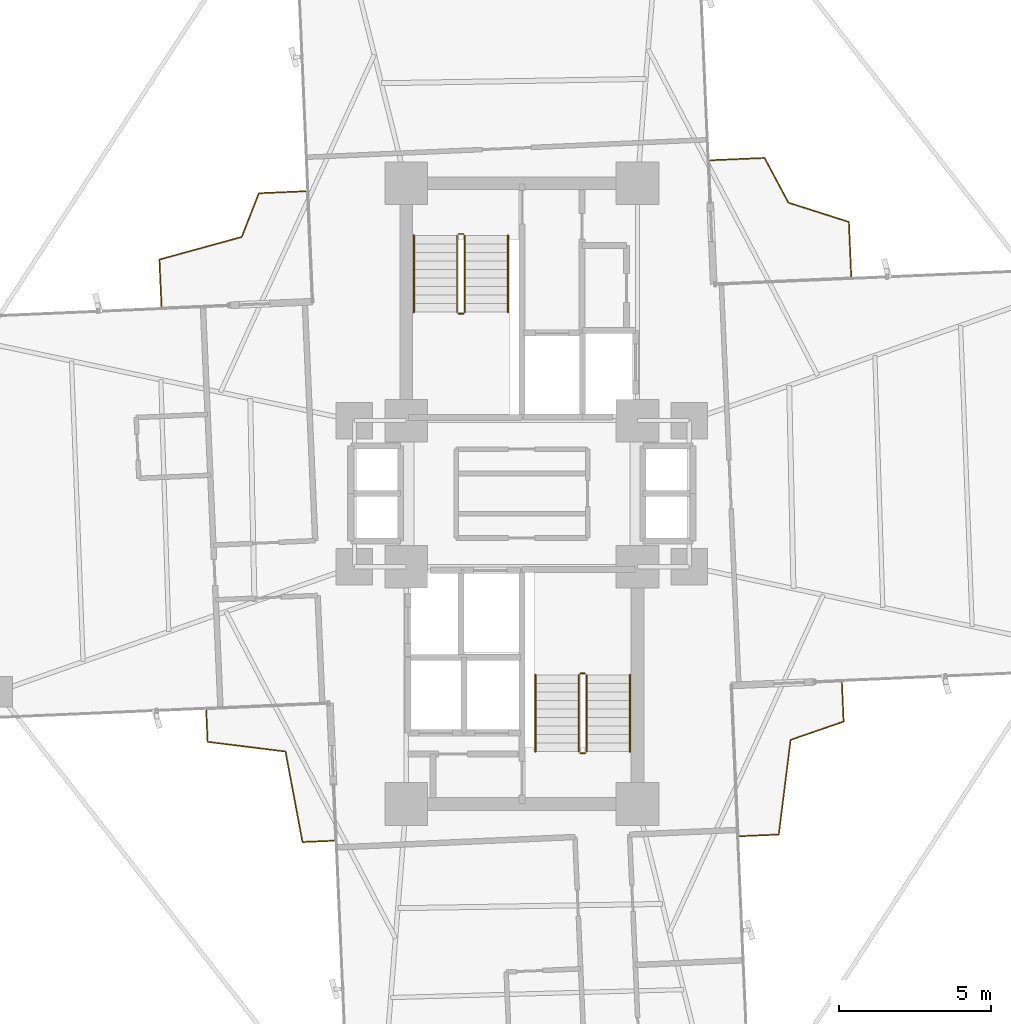
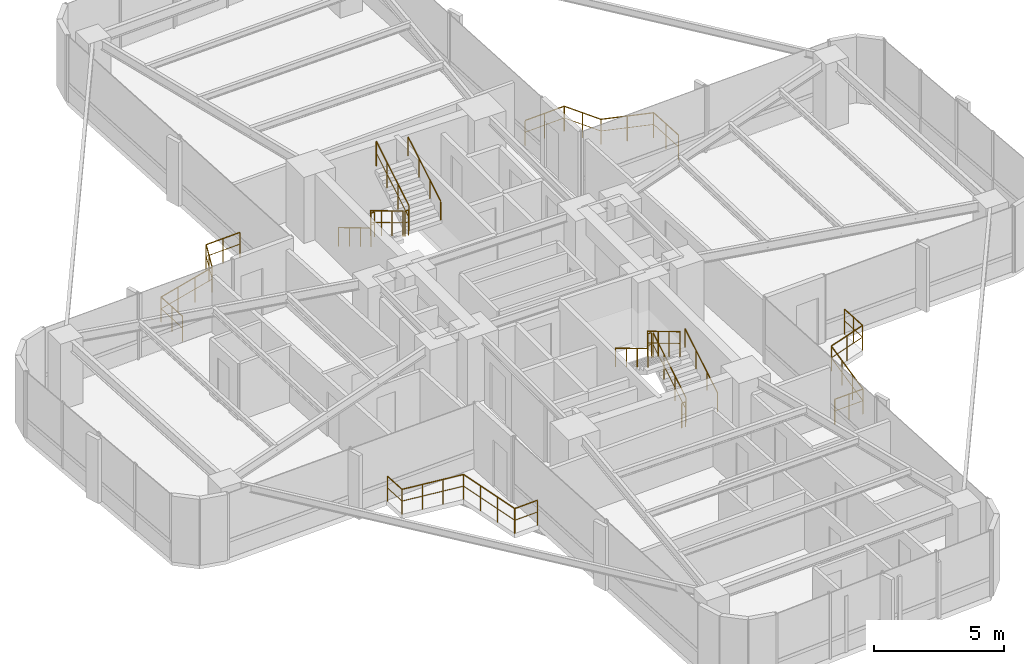
# One storey, part 26 of 26: 16 railings.
"""IFC4 building model written with IfcOpenShell, lengths in metres."""

import ifcopenshell
import ifcopenshell.guid

model = None  # the IFC model being written
_history = None  # IfcOwnerHistory: only IFC2X3 demands one
_inside = {}  # id of a spatial element -> (the spatial element, [elements in it])
_under = {}  # id of a project, library or spatial element -> (it, [spatial elements below it])
_declared = {}  # id of a project -> (the project, [libraries it declares])
_typed = {}  # id of a type object -> (the type object, [elements of that type])
_made_of = {}  # id of a material, layer set ... -> (it, [elements and type objects made of it])


def new_model(schema):
    """Start an empty IFC model of exactly this schema.

    Asked for "IFC4X3", IfcOpenShell would pick the latest addendum, in which some entities
    have other attributes; the version numbers below select the first issue.
    IFC2X3 requires an IfcOwnerHistory on every rooted entity: one is made here for all.
    """
    global model, _history
    if schema == "IFC4X3":
        model = ifcopenshell.file(schema_version=(4, 3, 0, 0))
    else:
        model = ifcopenshell.file(schema=schema)
    _inside.clear()
    _under.clear()
    _declared.clear()
    _typed.clear()
    _made_of.clear()
    _history = None
    if model.schema == "IFC2X3":
        org = make("IfcOrganization", Name="unknown")
        user = make(
            "IfcPersonAndOrganization",
            ThePerson=make("IfcPerson", FamilyName="unknown"),
            TheOrganization=org,
        )
        app = make(
            "IfcApplication",
            ApplicationDeveloper=org,
            Version="unknown",
            ApplicationFullName="unknown",
            ApplicationIdentifier="unknown",
        )
        _history = make(
            "IfcOwnerHistory",
            OwningUser=user,
            OwningApplication=app,
            ChangeAction="ADDED",
            CreationDate=0,
        )
    return model


def make(cls, **values):
    """One entity of the class cls with the attributes given. An attribute that is None is left unset."""
    return model.create_entity(
        cls, **{name: value for name, value in values.items() if value is not None}
    )


def rooted(cls, **values):
    """An entity with a GlobalId (a new one), such as an element, a storey or a relation."""
    return make(cls, GlobalId=ifcopenshell.guid.new(), OwnerHistory=_history, **values)


def si_unit(unit_type, name, prefix=None):
    """IfcSIUnit, for example si_unit("LENGTHUNIT", "METRE", prefix="MILLI")."""
    return make("IfcSIUnit", UnitType=unit_type, Prefix=prefix, Name=name)


def assignment(units):
    """IfcUnitAssignment: the units of a project."""
    return None if units is None else make("IfcUnitAssignment", Units=units)


def point(xyz):
    """IfcCartesianPoint."""
    return None if xyz is None else make("IfcCartesianPoint", Coordinates=xyz)


def direction(xyz):
    """IfcDirection."""
    return None if xyz is None else make("IfcDirection", DirectionRatios=xyz)


def frame(location, z_axis=None, x_axis=None):
    """IfcAxis2Placement3D, a coordinate frame: its origin and axes. An axis left out is left unset."""
    return make(
        "IfcAxis2Placement3D",
        Location=point(location),
        Axis=direction(z_axis),
        RefDirection=direction(x_axis),
    )


def frame_2d(location, x_axis=None):
    """IfcAxis2Placement2D, a coordinate frame in the plane: its origin and x axis."""
    return make(
        "IfcAxis2Placement2D", Location=point(location), RefDirection=direction(x_axis)
    )


def origin():
    """The frame at (0, 0, 0) with its axes left unset."""
    return frame((0.0, 0.0, 0.0))


def origin_2d():
    """The frame at (0, 0) in the plane with its x axis left unset."""
    return frame_2d((0.0, 0.0))


def place(relative_to, where):
    """IfcLocalPlacement: puts the frame where relative to a parent placement (None: the world)."""
    return make(
        "IfcLocalPlacement", PlacementRelTo=relative_to, RelativePlacement=where
    )


def context(
    kind, dimensions, precision=None, world=None, true_north=None, identifier=None
):
    """IfcGeometricRepresentationContext, for example the 3D "Model" context."""
    return make(
        "IfcGeometricRepresentationContext",
        ContextIdentifier=identifier,
        ContextType=kind,
        CoordinateSpaceDimension=dimensions,
        Precision=precision,
        WorldCoordinateSystem=world,
        TrueNorth=true_north,
    )


def subcontext(parent, identifier, kind, view, scale=None):
    """IfcGeometricRepresentationSubContext, for example "Body" below "Model"."""
    return make(
        "IfcGeometricRepresentationSubContext",
        ContextIdentifier=identifier,
        ContextType=kind,
        ParentContext=parent,
        TargetScale=scale,
        TargetView=view,
    )


def project(units=None, contexts=None):
    """IfcProject with its units and contexts."""
    return rooted(
        "IfcProject",
        Name="project",
        RepresentationContexts=contexts,
        UnitsInContext=assignment(units),
    )


def spatial(cls, under=None, at=None, **own):
    """A site, building, storey or space (cls), placed at a placement, below another one or the project."""
    s = rooted(cls, ObjectPlacement=at, **own)
    if under is not None:
        _under.setdefault(under.id(), (under, []))[1].append(s)
    return s


def profile(cls, at=None, kind="AREA", **sizes):
    """A parametric profile (cls). Its sizes go by their IFC names, for example OverallWidth=200.0."""
    return make(cls, ProfileType=kind, Position=at, **sizes)


def circle(**sizes):
    """IfcCircleProfileDef."""
    return profile("IfcCircleProfileDef", **sizes)


def extrude(swept, where, along, depth):
    """IfcExtrudedAreaSolid: the profile swept, set in the frame where, extruded along a direction by depth."""
    return make(
        "IfcExtrudedAreaSolid",
        SweptArea=swept,
        Position=where,
        ExtrudedDirection=direction(along),
        Depth=depth,
    )


def shape(context_of_items, identifier, shape_type, items):
    """IfcShapeRepresentation: the items that make up one representation, for example the "Body"."""
    return make(
        "IfcShapeRepresentation",
        ContextOfItems=context_of_items,
        RepresentationIdentifier=identifier,
        RepresentationType=shape_type,
        Items=items,
    )


def material(Name=None, Category=None):
    """IfcMaterial."""
    return make("IfcMaterial", Name=Name, Category=Category)


def made_of(thing, what):
    """Note that an element or type object is made of a material, layer set ...; save() writes the relation."""
    if what is not None:
        _made_of.setdefault(what.id(), (what, []))[1].append(thing)
    return thing


def type_object(cls, material=None, **own):
    """A type object (cls), such as IfcWallType, which elements share."""
    return made_of(rooted(cls, **own), material)


def element(
    cls,
    number,
    at=None,
    inside=None,
    cuts=None,
    type_object=None,
    material=None,
    context=None,
    identifier="Body",
    shape_type=None,
    held_by="IfcProductDefinitionShape",
    body=None,
    shapes=None,
    **own,
):
    """One element of the class cls, such as IfcWall. Its Tag is "e" and its number.

    at: its placement. inside: the storey or other place that contains it. cuts: it is an
    opening in that element (IfcRelVoidsElement). A single representation is given by context,
    identifier, shape_type and body (its items); several are given by shapes. held_by: the class
    of the entity that holds the representations. save() writes the other relations.
    """
    e = rooted(cls, Tag="e%d" % number, ObjectPlacement=at, **own)
    if body is not None:
        shapes = [shape(context, identifier, shape_type, body)]
    if shapes is not None:
        e.Representation = make(held_by, Representations=shapes)
    if inside is not None:
        _inside.setdefault(inside.id(), (inside, []))[1].append(e)
    if cuts is not None:
        rooted(
            "IfcRelVoidsElement", RelatingBuildingElement=cuts, RelatedOpeningElement=e
        )
    if type_object is not None:
        _typed.setdefault(type_object.id(), (type_object, []))[1].append(e)
    return made_of(e, material)


def aggregate(whole, parts):
    """IfcRelAggregates: a whole, such as a stair, and the parts it consists of."""
    return rooted("IfcRelAggregates", RelatingObject=whole, RelatedObjects=parts)


def save(model, path):
    """Write the relations noted so far, then the file.

    IfcRelAggregates (storeys below a building ...), IfcRelContainedInSpatialStructure (elements
    in a storey), IfcRelDefinesByType, IfcRelAssociatesMaterial and IfcRelDeclares: one each for
    every whole, place, type object, material and project.
    """
    for whole, parts in _under.values():
        aggregate(whole, parts)
    for where, things in _inside.values():
        rooted(
            "IfcRelContainedInSpatialStructure",
            RelatedElements=things,
            RelatingStructure=where,
        )
    for kind, things in _typed.values():
        rooted("IfcRelDefinesByType", RelatedObjects=things, RelatingType=kind)
    for what, things in _made_of.values():
        rooted("IfcRelAssociatesMaterial", RelatedObjects=things, RelatingMaterial=what)
    for by, libraries in _declared.values():
        rooted("IfcRelDeclares", RelatingContext=by, RelatedDefinitions=libraries)
    model.write(path)


model = new_model("IFC4")

# Units and contexts
model_context = context("Model", 3, precision=1e-05, world=origin(), true_north=direction((0.0, 1.0)))
body_context = subcontext(model_context, "Body", "Model", "MODEL_VIEW")
ifc_project = project(units=[si_unit("LENGTHUNIT", "METRE"), si_unit("AREAUNIT", "SQUARE_METRE"), si_unit("VOLUMEUNIT", "CUBIC_METRE"), si_unit("PLANEANGLEUNIT", "RADIAN"), si_unit("MASSUNIT", "GRAM", prefix="KILO")], contexts=[model_context])

# Site, building, storey
site_placement = place(None, origin())
site = spatial("IfcSite", under=ifc_project, at=site_placement, CompositionType="ELEMENT")
building_placement = place(site_placement, origin())
building = spatial("IfcBuilding", under=site, at=building_placement, Name="Sahyath Konkavel Grand Hotel", CompositionType="ELEMENT")
storey_placement = place(building_placement, frame((0.0, 0.0, 96.89990234375)))
storey = spatial("IfcBuildingStorey", under=building, at=storey_placement, Name="L26", CompositionType="ELEMENT", Elevation=96.89990234375)

# Railings
ifc_material_1 = material(Name="Anodised Bronze Aluminium", Category="aluminium")
railing_type_1 = type_object("IfcRailingType", Name="RLG-BALC-1200", PredefinedType="GUARDRAIL", material=ifc_material_1)
railing_1_placement = place(storey_placement, frame((10.825927734375, 7.138916015625, 0.0)))
element("IfcRailing", 1, at=railing_1_placement, inside=storey, type_object=railing_type_1, Name="L26 Winter-Garden Guard NE", PredefinedType="GUARDRAIL", context=body_context, shape_type="SweptSolid", body=[
    extrude(circle(Radius=0.02392578125, at=origin_2d()), frame((0.0, 0.001953125, 1.17578125), z_axis=(-0.043632489126, 0.999047649461, 0.0), x_axis=(-0.999047649461, -0.043632489126, 0.0)), (0.0, 0.0, 1.0), 1.78662109375),
    extrude(circle(Radius=0.01416015625, at=origin_2d()), frame((0.0, 0.001953125, 0.6240234375), z_axis=(-0.043632489126, 0.999047649461, 0.0), x_axis=(-0.999047649461, -0.043632489126, 0.0)), (0.0, 0.0, 1.0), 1.78662109375),
    extrude(circle(Radius=0.02392578125, at=origin_2d()), frame((-0.080078125, 1.789306640625, 1.17578125), z_axis=(-0.95272413005, 0.30383668643, 0.0), x_axis=(-0.30383668643, -0.95272413005, 0.0)), (0.0, 0.0, 1.0), 2.0810546875),
    extrude(circle(Radius=0.01416015625, at=origin_2d()), frame((-0.080078125, 1.789306640625, 0.6240234375), z_axis=(-0.95272413005, 0.30383668643, 0.0), x_axis=(-0.30383668643, -0.95272413005, 0.0)), (0.0, 0.0, 1.0), 2.0810546875),
    extrude(circle(Radius=0.02392578125, at=origin_2d()), frame((-2.065673828125, 2.424072265625, 1.17578125), z_axis=(-0.470732709962, 0.882275872827, 0.0), x_axis=(-0.882275872827, -0.470732709962, 0.0)), (0.0, 0.0, 1.0), 1.662353515625),
    extrude(circle(Radius=0.01416015625, at=origin_2d()), frame((-2.065673828125, 2.424072265625, 0.6240234375), z_axis=(-0.470732709962, 0.882275872827, 0.0), x_axis=(-0.882275872827, -0.470732709962, 0.0)), (0.0, 0.0, 1.0), 1.662353515625),
    extrude(circle(Radius=0.02392578125, at=origin_2d()), frame((-2.85107421875, 3.892578125, 1.17578125), z_axis=(-0.999047649461, -0.043632489126, 0.0), x_axis=(0.043632489126, -0.999047649461, 0.0)), (0.0, 0.0, 1.0), 1.78662109375),
    extrude(circle(Radius=0.01416015625, at=origin_2d()), frame((-2.85107421875, 3.892578125, 0.6240234375), z_axis=(-0.999047649461, -0.043632489126, 0.0), x_axis=(0.043632489126, -0.999047649461, 0.0)), (0.0, 0.0, 1.0), 1.78662109375),
    extrude(circle(Radius=0.02099609375, at=origin_2d()), origin(), (0.0, 0.0, 1.0), 1.15185546875),
    extrude(circle(Radius=0.02099609375, at=origin_2d()), frame((-0.0390625, 0.89453125, 0.0)), (0.0, 0.0, 1.0), 1.15185546875),
    extrude(circle(Radius=0.02099609375, at=origin_2d()), frame((-0.078125, 1.788818359375, 0.0)), (0.0, 0.0, 1.0), 1.15185546875),
    extrude(circle(Radius=0.02099609375, at=origin_2d()), frame((-1.0712890625, 2.10546875, 0.0)), (0.0, 0.0, 1.0), 1.15185546875),
    extrude(circle(Radius=0.02099609375, at=origin_2d()), frame((-2.064697265625, 2.42236328125, 0.0)), (0.0, 0.0, 1.0), 1.15185546875),
    extrude(circle(Radius=0.02099609375, at=origin_2d()), frame((-2.45703125, 3.157470703125, 0.0)), (0.0, 0.0, 1.0), 1.15185546875),
    extrude(circle(Radius=0.02099609375, at=origin_2d()), frame((-2.84912109375, 3.892578125, 0.0)), (0.0, 0.0, 1.0), 1.15185546875),
    extrude(circle(Radius=0.02099609375, at=origin_2d()), frame((-3.74365234375, 3.853515625, 0.0)), (0.0, 0.0, 1.0), 1.15185546875),
    extrude(circle(Radius=0.02099609375, at=origin_2d()), frame((-4.637939453125, 3.814453125, 0.0)), (0.0, 0.0, 1.0), 1.15185546875),
])
railing_2_placement = place(storey_placement, frame((-7.10009765625, 9.937744140625, 0.0)))
element("IfcRailing", 2, at=railing_2_placement, inside=storey, type_object=railing_type_1, Name="L26 Winter-Garden Guard NW", PredefinedType="GUARDRAIL", context=body_context, shape_type="SweptSolid", body=[
    extrude(circle(Radius=0.02392578125, at=origin_2d()), frame((-0.001953125, 0.0, 1.17578125), z_axis=(-0.999047487669, -0.043636193479, 0.0), x_axis=(0.043636193479, -0.999047487669, 0.0)), (0.0, 0.0, 1.0), 1.540283203125),
    extrude(circle(Radius=0.01416015625, at=origin_2d()), frame((-0.001953125, 0.0, 0.6240234375), z_axis=(-0.999047487669, -0.043636193479, 0.0), x_axis=(0.043636193479, -0.999047487669, 0.0)), (0.0, 0.0, 1.0), 1.540283203125),
    extrude(circle(Radius=0.02392578125, at=origin_2d()), frame((-1.54345703125, -0.0693359375, 1.17578125), z_axis=(-0.364363524851, -0.931256796892, 0.0), x_axis=(0.931256796892, -0.364363524851, 0.0)), (0.0, 0.0, 1.0), 1.537841796875),
    extrude(circle(Radius=0.01416015625, at=origin_2d()), frame((-1.54345703125, -0.0693359375, 0.6240234375), z_axis=(-0.364363524851, -0.931256796892, 0.0), x_axis=(0.931256796892, -0.364363524851, 0.0)), (0.0, 0.0, 1.0), 1.537841796875),
    extrude(circle(Radius=0.02392578125, at=origin_2d()), frame((-2.1064453125, -1.503662109375, 1.17578125), z_axis=(-0.964298255375, -0.264818569365, 0.0), x_axis=(0.264818569365, -0.964298255375, 0.0)), (0.0, 0.0, 1.0), 2.800537109375),
    extrude(circle(Radius=0.01416015625, at=origin_2d()), frame((-2.1064453125, -1.503662109375, 0.6240234375), z_axis=(-0.964298255375, -0.264818569365, 0.0), x_axis=(0.264818569365, -0.964298255375, 0.0)), (0.0, 0.0, 1.0), 2.800537109375),
    extrude(circle(Radius=0.02392578125, at=origin_2d()), frame((-4.808837890625, -2.247802734375, 1.17578125), z_axis=(0.043643086972, -0.999047186553, 0.0), x_axis=(0.999047186553, 0.043643086972, 0.0)), (0.0, 0.0, 1.0), 1.5400390625),
    extrude(circle(Radius=0.01416015625, at=origin_2d()), frame((-4.808837890625, -2.247802734375, 0.6240234375), z_axis=(0.043643086972, -0.999047186553, 0.0), x_axis=(0.999047186553, 0.043643086972, 0.0)), (0.0, 0.0, 1.0), 1.5400390625),
    extrude(circle(Radius=0.02099609375, at=origin_2d()), origin(), (0.0, 0.0, 1.0), 1.15185546875),
    extrude(circle(Radius=0.02099609375, at=origin_2d()), frame((-0.771484375, -0.03369140625, 0.0)), (0.0, 0.0, 1.0), 1.15185546875),
    extrude(circle(Radius=0.02099609375, at=origin_2d()), frame((-1.542724609375, -0.0673828125, 0.0)), (0.0, 0.0, 1.0), 1.15185546875),
    extrude(circle(Radius=0.02099609375, at=origin_2d()), frame((-1.82373046875, -0.78515625, 0.0)), (0.0, 0.0, 1.0), 1.15185546875),
    extrude(circle(Radius=0.02099609375, at=origin_2d()), frame((-2.1044921875, -1.503173828125, 0.0)), (0.0, 0.0, 1.0), 1.15185546875),
    extrude(circle(Radius=0.02099609375, at=origin_2d()), frame((-3.005859375, -1.750732421875, 0.0)), (0.0, 0.0, 1.0), 1.15185546875),
    extrude(circle(Radius=0.02099609375, at=origin_2d()), frame((-3.907470703125, -1.998291015625, 0.0)), (0.0, 0.0, 1.0), 1.15185546875),
    extrude(circle(Radius=0.02099609375, at=origin_2d()), frame((-4.808837890625, -2.245849609375, 0.0)), (0.0, 0.0, 1.0), 1.15185546875),
    extrude(circle(Radius=0.02099609375, at=origin_2d()), frame((-4.775146484375, -3.01708984375, 0.0)), (0.0, 0.0, 1.0), 1.15185546875),
    extrude(circle(Radius=0.02099609375, at=origin_2d()), frame((-4.741455078125, -3.788330078125, 0.0)), (0.0, 0.0, 1.0), 1.15185546875),
])
railing_3_placement = place(storey_placement, frame((-10.372314453125, -7.119140625, 0.0)))
element("IfcRailing", 3, at=railing_3_placement, inside=storey, type_object=railing_type_1, Name="L26 Winter-Garden Guard SW", PredefinedType="GUARDRAIL", context=body_context, shape_type="SweptSolid", body=[
    extrude(circle(Radius=0.02392578125, at=origin_2d()), frame((0.0, -0.001953125, 1.17578125), z_axis=(0.043589774716, -0.999049514058, 0.0), x_axis=(0.999049514058, 0.043589774716, 0.0)), (0.0, 0.0, 1.0), 1.037841796875),
    extrude(circle(Radius=0.01416015625, at=origin_2d()), frame((0.0, -0.001953125, 0.6240234375), z_axis=(0.043589774716, -0.999049514058, 0.0), x_axis=(0.999049514058, 0.043589774716, 0.0)), (0.0, 0.0, 1.0), 1.037841796875),
    extrude(circle(Radius=0.02392578125, at=origin_2d()), frame((0.04736328125, -1.041015625, 1.17578125), z_axis=(0.99242139532, -0.12288113814, 0.0), x_axis=(0.12288113814, 0.99242139532, 0.0)), (0.0, 0.0, 1.0), 2.574951171875),
    extrude(circle(Radius=0.01416015625, at=origin_2d()), frame((0.04736328125, -1.041015625, 0.6240234375), z_axis=(0.99242139532, -0.12288113814, 0.0), x_axis=(0.12288113814, 0.99242139532, 0.0)), (0.0, 0.0, 1.0), 2.574951171875),
    extrude(circle(Radius=0.02392578125, at=origin_2d()), frame((2.605224609375, -1.359619140625, 1.17578125), z_axis=(0.184502757387, -0.982831996079, 0.0), x_axis=(0.982831996079, 0.184502757387, 0.0)), (0.0, 0.0, 1.0), 3.023681640625),
    extrude(circle(Radius=0.01416015625, at=origin_2d()), frame((2.605224609375, -1.359619140625, 0.6240234375), z_axis=(0.184502757387, -0.982831996079, 0.0), x_axis=(0.982831996079, 0.184502757387, 0.0)), (0.0, 0.0, 1.0), 3.023681640625),
    extrude(circle(Radius=0.02392578125, at=origin_2d()), frame((3.165283203125, -4.333251953125, 1.17578125), z_axis=(0.999049514058, 0.043589774716, 0.0), x_axis=(-0.043589774716, 0.999049514058, 0.0)), (0.0, 0.0, 1.0), 1.037841796875),
    extrude(circle(Radius=0.01416015625, at=origin_2d()), frame((3.165283203125, -4.333251953125, 0.6240234375), z_axis=(0.999049514058, 0.043589774716, 0.0), x_axis=(-0.043589774716, 0.999049514058, 0.0)), (0.0, 0.0, 1.0), 1.037841796875),
    extrude(circle(Radius=0.02099609375, at=origin_2d()), origin(), (0.0, 0.0, 1.0), 1.15185546875),
    extrude(circle(Radius=0.02099609375, at=origin_2d()), frame((0.04541015625, -1.040771484375, 0.0)), (0.0, 0.0, 1.0), 1.15185546875),
    extrude(circle(Radius=0.02099609375, at=origin_2d()), frame((0.8984375, -1.146484375, 0.0)), (0.0, 0.0, 1.0), 1.15185546875),
    extrude(circle(Radius=0.02099609375, at=origin_2d()), frame((1.751708984375, -1.251953125, 0.0)), (0.0, 0.0, 1.0), 1.15185546875),
    extrude(circle(Radius=0.02099609375, at=origin_2d()), frame((2.604736328125, -1.357666015625, 0.0)), (0.0, 0.0, 1.0), 1.15185546875),
    extrude(circle(Radius=0.02099609375, at=origin_2d()), frame((2.791015625, -2.349609375, 0.0)), (0.0, 0.0, 1.0), 1.15185546875),
    extrude(circle(Radius=0.02099609375, at=origin_2d()), frame((2.97705078125, -3.34130859375, 0.0)), (0.0, 0.0, 1.0), 1.15185546875),
    extrude(circle(Radius=0.02099609375, at=origin_2d()), frame((3.163330078125, -4.333251953125, 0.0)), (0.0, 0.0, 1.0), 1.15185546875),
    extrude(circle(Radius=0.02099609375, at=origin_2d()), frame((4.2041015625, -4.287841796875, 0.0)), (0.0, 0.0, 1.0), 1.15185546875),
])
railing_4_placement = place(storey_placement, frame((7.157958984375, -11.260498046875, 0.0)))
element("IfcRailing", 4, at=railing_4_placement, inside=storey, type_object=railing_type_1, Name="L26 Winter-Garden Guard SE", PredefinedType="GUARDRAIL", context=body_context, shape_type="SweptSolid", body=[
    extrude(circle(Radius=0.02392578125, at=origin_2d()), frame((0.001953125, 0.0, 1.17578125), z_axis=(0.999048991113, 0.043601758625, 0.0), x_axis=(-0.043601758625, 0.999048991113, 0.0)), (0.0, 0.0, 1.0), 1.283935546875),
    extrude(circle(Radius=0.01416015625, at=origin_2d()), frame((0.001953125, 0.0, 0.6240234375), z_axis=(0.999048991113, 0.043601758625, 0.0), x_axis=(-0.043601758625, 0.999048991113, 0.0)), (0.0, 0.0, 1.0), 1.283935546875),
    extrude(circle(Radius=0.02392578125, at=origin_2d()), frame((1.286865234375, 0.05810546875, 1.17578125), z_axis=(0.124092259403, 0.992270684418, 0.0), x_axis=(-0.992270684418, 0.124092259403, 0.0)), (0.0, 0.0, 1.0), 3.130126953125),
    extrude(circle(Radius=0.01416015625, at=origin_2d()), frame((1.286865234375, 0.05810546875, 0.6240234375), z_axis=(0.124092259403, 0.992270684418, 0.0), x_axis=(-0.992270684418, 0.124092259403, 0.0)), (0.0, 0.0, 1.0), 3.130126953125),
    extrude(circle(Radius=0.02392578125, at=origin_2d()), frame((1.677490234375, 3.166748046875, 1.17578125), z_axis=(0.945318041861, 0.326149965095, 0.0), x_axis=(-0.326149965095, 0.945318041861, 0.0)), (0.0, 0.0, 1.0), 1.838134765625),
    extrude(circle(Radius=0.01416015625, at=origin_2d()), frame((1.677490234375, 3.166748046875, 0.6240234375), z_axis=(0.945318041861, 0.326149965095, 0.0), x_axis=(-0.326149965095, 0.945318041861, 0.0)), (0.0, 0.0, 1.0), 1.838134765625),
    extrude(circle(Radius=0.02392578125, at=origin_2d()), frame((3.4169921875, 3.768798828125, 1.17578125), z_axis=(-0.043601758625, 0.999048991113, 0.0), x_axis=(-0.999048991113, -0.043601758625, 0.0)), (0.0, 0.0, 1.0), 1.283935546875),
    extrude(circle(Radius=0.01416015625, at=origin_2d()), frame((3.4169921875, 3.768798828125, 0.6240234375), z_axis=(-0.043601758625, 0.999048991113, 0.0), x_axis=(-0.999048991113, -0.043601758625, 0.0)), (0.0, 0.0, 1.0), 1.283935546875),
    extrude(circle(Radius=0.02099609375, at=origin_2d()), origin(), (0.0, 0.0, 1.0), 1.15185546875),
    extrude(circle(Radius=0.02099609375, at=origin_2d()), frame((0.643310546875, 0.028076171875, 0.0)), (0.0, 0.0, 1.0), 1.15185546875),
    extrude(circle(Radius=0.02099609375, at=origin_2d()), frame((1.28662109375, 0.05615234375, 0.0)), (0.0, 0.0, 1.0), 1.15185546875),
    extrude(circle(Radius=0.02099609375, at=origin_2d()), frame((1.416259765625, 1.0927734375, 0.0)), (0.0, 0.0, 1.0), 1.15185546875),
    extrude(circle(Radius=0.02099609375, at=origin_2d()), frame((1.5458984375, 2.12939453125, 0.0)), (0.0, 0.0, 1.0), 1.15185546875),
    extrude(circle(Radius=0.02099609375, at=origin_2d()), frame((1.675537109375, 3.166015625, 0.0)), (0.0, 0.0, 1.0), 1.15185546875),
    extrude(circle(Radius=0.02099609375, at=origin_2d()), frame((2.54638671875, 3.46630859375, 0.0)), (0.0, 0.0, 1.0), 1.15185546875),
    extrude(circle(Radius=0.02099609375, at=origin_2d()), frame((3.4169921875, 3.766845703125, 0.0)), (0.0, 0.0, 1.0), 1.15185546875),
    extrude(circle(Radius=0.02099609375, at=origin_2d()), frame((3.388916015625, 4.41015625, 0.0)), (0.0, 0.0, 1.0), 1.15185546875),
    extrude(circle(Radius=0.02099609375, at=origin_2d()), frame((3.36083984375, 5.053466796875, 0.0)), (0.0, 0.0, 1.0), 1.15185546875),
])
ifc_material_2 = material(Name="Steel E350", Category="steel")
railing_type_2 = type_object("IfcRailingType", Name="RLG-STAIR-GRD", PredefinedType="GUARDRAIL", material=ifc_material_2)
railing_5_placement = place(storey_placement, frame((-2.1298828125, 8.47998046875, 0.16748046875)))
element("IfcRailing", 5, at=railing_5_placement, inside=storey, type_object=railing_type_2, Name="L26 ST-1 stair guard 1", PredefinedType="GUARDRAIL", context=body_context, shape_type="SweptSolid", body=[
    extrude(circle(Radius=0.02392578125, at=origin_2d()), frame((0.0, -0.001708984375, 1.177001953125), z_axis=(0.0, -0.858159760407, 0.513382728203), x_axis=(1.0, 0.0, 0.0)), (0.0, 0.0, 1.0), 2.9326171875),
    extrude(circle(Radius=0.01416015625, at=origin_2d()), frame((0.0, -0.001708984375, 0.625), z_axis=(0.0, -0.858159760407, 0.513382728203), x_axis=(1.0, 0.0, 0.0)), (0.0, 0.0, 1.0), 2.9326171875),
    extrude(circle(Radius=0.02099609375, at=origin_2d()), origin(), (0.0, 0.0, 1.0), 1.15185546875),
    extrude(circle(Radius=0.02099609375, at=origin_2d()), frame((0.0, -0.840087890625, 0.50244140625)), (0.0, 0.0, 1.0), 1.15185546875),
    extrude(circle(Radius=0.02099609375, at=origin_2d()), frame((0.0, -1.679931640625, 1.005126953125)), (0.0, 0.0, 1.0), 1.15185546875),
    extrude(circle(Radius=0.02099609375, at=origin_2d()), frame((0.0, -2.52001953125, 1.507568359375)), (0.0, 0.0, 1.0), 1.15185546875),
])
railing_6_placement = place(storey_placement, frame((-2.080078125, 5.909912109375, 1.675048828125)))
element("IfcRailing", 6, at=railing_6_placement, inside=storey, type_object=railing_type_2, Name="L26 ST-1 stair guard 2", PredefinedType="GUARDRAIL", context=body_context, shape_type="SweptSolid", body=[
    extrude(circle(Radius=0.02392578125, at=origin_2d()), frame((0.001953125, 0.0, 1.17578125), z_axis=(1.0, 0.0, 0.0), x_axis=(0.0, 1.0, 0.0)), (0.0, 0.0, 1.0), 0.15625),
    extrude(circle(Radius=0.01416015625, at=origin_2d()), frame((0.001953125, 0.0, 0.6240234375), z_axis=(1.0, 0.0, 0.0), x_axis=(0.0, 1.0, 0.0)), (0.0, 0.0, 1.0), 0.15625),
    extrude(circle(Radius=0.02099609375, at=origin_2d()), origin(), (0.0, 0.0, 1.0), 1.15185546875),
    extrude(circle(Radius=0.02099609375, at=origin_2d()), frame((0.16015625, 0.0, 0.0)), (0.0, 0.0, 1.0), 1.15185546875),
])
railing_7_placement = place(storey_placement, frame((-1.8701171875, 5.9599609375, 1.842529296875)))
element("IfcRailing", 7, at=railing_7_placement, inside=storey, type_object=railing_type_2, Name="L26 ST-1 stair guard 3", PredefinedType="GUARDRAIL", context=body_context, shape_type="SweptSolid", body=[
    extrude(circle(Radius=0.02392578125, at=origin_2d()), frame((0.0, 0.001708984375, 1.177001953125), z_axis=(0.0, 0.858159760407, 0.513382728203), x_axis=(-1.0, 0.0, 0.0)), (0.0, 0.0, 1.0), 2.9326171875),
    extrude(circle(Radius=0.01416015625, at=origin_2d()), frame((0.0, 0.001708984375, 0.625), z_axis=(0.0, 0.858159760407, 0.513382728203), x_axis=(-1.0, 0.0, 0.0)), (0.0, 0.0, 1.0), 2.9326171875),
    extrude(circle(Radius=0.02099609375, at=origin_2d()), origin(), (0.0, 0.0, 1.0), 1.15185546875),
    extrude(circle(Radius=0.02099609375, at=origin_2d()), frame((0.0, 0.840087890625, 0.50244140625)), (0.0, 0.0, 1.0), 1.15185546875),
    extrude(circle(Radius=0.02099609375, at=origin_2d()), frame((0.0, 1.679931640625, 1.005126953125)), (0.0, 0.0, 1.0), 1.15185546875),
    extrude(circle(Radius=0.02099609375, at=origin_2d()), frame((0.0, 2.52001953125, 1.507568359375)), (0.0, 0.0, 1.0), 1.15185546875),
])
railing_8_placement = place(storey_placement, frame((-2.080078125, 8.530029296875, 0.0)))
element("IfcRailing", 8, at=railing_8_placement, inside=storey, type_object=railing_type_2, Name="L26 ST-1 stair guard 4", PredefinedType="GUARDRAIL", context=body_context, shape_type="SweptSolid", body=[
    extrude(circle(Radius=0.02392578125, at=origin_2d()), frame((0.001953125, 0.0, 1.17578125), z_axis=(1.0, 0.0, 0.0), x_axis=(0.0, 1.0, 0.0)), (0.0, 0.0, 1.0), 0.15625),
    extrude(circle(Radius=0.01416015625, at=origin_2d()), frame((0.001953125, 0.0, 0.6240234375), z_axis=(1.0, 0.0, 0.0), x_axis=(0.0, 1.0, 0.0)), (0.0, 0.0, 1.0), 0.15625),
    extrude(circle(Radius=0.02099609375, at=origin_2d()), origin(), (0.0, 0.0, 1.0), 1.15185546875),
    extrude(circle(Radius=0.02099609375, at=origin_2d()), frame((0.16015625, 0.0, 0.0)), (0.0, 0.0, 1.0), 1.15185546875),
])
railing_9_placement = place(storey_placement, frame((2.1298828125, -8.47998046875, 0.16748046875)))
element("IfcRailing", 9, at=railing_9_placement, inside=storey, type_object=railing_type_2, Name="L26 ST-2 stair guard 1", PredefinedType="GUARDRAIL", context=body_context, shape_type="SweptSolid", body=[
    extrude(circle(Radius=0.02392578125, at=origin_2d()), frame((0.0, 0.001708984375, 1.177001953125), z_axis=(0.0, 0.858159760407, 0.513382728203), x_axis=(-1.0, 0.0, 0.0)), (0.0, 0.0, 1.0), 2.9326171875),
    extrude(circle(Radius=0.01416015625, at=origin_2d()), frame((0.0, 0.001708984375, 0.625), z_axis=(0.0, 0.858159760407, 0.513382728203), x_axis=(-1.0, 0.0, 0.0)), (0.0, 0.0, 1.0), 2.9326171875),
    extrude(circle(Radius=0.02099609375, at=origin_2d()), origin(), (0.0, 0.0, 1.0), 1.15185546875),
    extrude(circle(Radius=0.02099609375, at=origin_2d()), frame((0.0, 0.840087890625, 0.50244140625)), (0.0, 0.0, 1.0), 1.15185546875),
    extrude(circle(Radius=0.02099609375, at=origin_2d()), frame((0.0, 1.679931640625, 1.005126953125)), (0.0, 0.0, 1.0), 1.15185546875),
    extrude(circle(Radius=0.02099609375, at=origin_2d()), frame((0.0, 2.52001953125, 1.507568359375)), (0.0, 0.0, 1.0), 1.15185546875),
])
railing_10_placement = place(storey_placement, frame((2.080078125, -5.909912109375, 1.675048828125)))
element("IfcRailing", 10, at=railing_10_placement, inside=storey, type_object=railing_type_2, Name="L26 ST-2 stair guard 2", PredefinedType="GUARDRAIL", context=body_context, shape_type="SweptSolid", body=[
    extrude(circle(Radius=0.02392578125, at=origin_2d()), frame((-0.001953125, 0.0, 1.17578125), z_axis=(-1.0, 0.0, 0.0), x_axis=(0.0, -1.0, 0.0)), (0.0, 0.0, 1.0), 0.15625),
    extrude(circle(Radius=0.01416015625, at=origin_2d()), frame((-0.001953125, 0.0, 0.6240234375), z_axis=(-1.0, 0.0, 0.0), x_axis=(0.0, -1.0, 0.0)), (0.0, 0.0, 1.0), 0.15625),
    extrude(circle(Radius=0.02099609375, at=origin_2d()), origin(), (0.0, 0.0, 1.0), 1.15185546875),
    extrude(circle(Radius=0.02099609375, at=origin_2d()), frame((-0.16015625, 0.0, 0.0)), (0.0, 0.0, 1.0), 1.15185546875),
])
railing_11_placement = place(storey_placement, frame((1.8701171875, -5.9599609375, 1.842529296875)))
element("IfcRailing", 11, at=railing_11_placement, inside=storey, type_object=railing_type_2, Name="L26 ST-2 stair guard 3", PredefinedType="GUARDRAIL", context=body_context, shape_type="SweptSolid", body=[
    extrude(circle(Radius=0.02392578125, at=origin_2d()), frame((0.0, -0.001708984375, 1.177001953125), z_axis=(0.0, -0.858159760407, 0.513382728203), x_axis=(1.0, 0.0, 0.0)), (0.0, 0.0, 1.0), 2.9326171875),
    extrude(circle(Radius=0.01416015625, at=origin_2d()), frame((0.0, -0.001708984375, 0.625), z_axis=(0.0, -0.858159760407, 0.513382728203), x_axis=(1.0, 0.0, 0.0)), (0.0, 0.0, 1.0), 2.9326171875),
    extrude(circle(Radius=0.02099609375, at=origin_2d()), origin(), (0.0, 0.0, 1.0), 1.15185546875),
    extrude(circle(Radius=0.02099609375, at=origin_2d()), frame((0.0, -0.840087890625, 0.50244140625)), (0.0, 0.0, 1.0), 1.15185546875),
    extrude(circle(Radius=0.02099609375, at=origin_2d()), frame((0.0, -1.679931640625, 1.005126953125)), (0.0, 0.0, 1.0), 1.15185546875),
    extrude(circle(Radius=0.02099609375, at=origin_2d()), frame((0.0, -2.52001953125, 1.507568359375)), (0.0, 0.0, 1.0), 1.15185546875),
])
railing_12_placement = place(storey_placement, frame((2.080078125, -8.530029296875, 0.0)))
element("IfcRailing", 12, at=railing_12_placement, inside=storey, type_object=railing_type_2, Name="L26 ST-2 stair guard 4", PredefinedType="GUARDRAIL", context=body_context, shape_type="SweptSolid", body=[
    extrude(circle(Radius=0.02392578125, at=origin_2d()), frame((-0.001953125, 0.0, 1.17578125), z_axis=(-1.0, 0.0, 0.0), x_axis=(0.0, -1.0, 0.0)), (0.0, 0.0, 1.0), 0.15625),
    extrude(circle(Radius=0.01416015625, at=origin_2d()), frame((-0.001953125, 0.0, 0.6240234375), z_axis=(-1.0, 0.0, 0.0), x_axis=(0.0, -1.0, 0.0)), (0.0, 0.0, 1.0), 0.15625),
    extrude(circle(Radius=0.02099609375, at=origin_2d()), origin(), (0.0, 0.0, 1.0), 1.15185546875),
    extrude(circle(Radius=0.02099609375, at=origin_2d()), frame((-0.16015625, 0.0, 0.0)), (0.0, 0.0, 1.0), 1.15185546875),
])
railing_type_3 = type_object("IfcRailingType", Name="RLG-STAIR-HND", PredefinedType="HANDRAIL", material=ifc_material_1)
railing_13_placement = place(storey_placement, frame((-3.550048828125, 8.47998046875, 0.16748046875)))
element("IfcRailing", 13, at=railing_13_placement, inside=storey, type_object=railing_type_3, Name="L26 ST-1 stair handrail 1", PredefinedType="HANDRAIL", context=body_context, shape_type="SweptSolid", body=[
    extrude(circle(Radius=0.02392578125, at=origin_2d()), frame((0.0, -0.001708984375, 0.876953125), z_axis=(0.0, -0.858159760407, 0.513382728203), x_axis=(1.0, 0.0, 0.0)), (0.0, 0.0, 1.0), 2.9326171875),
    extrude(circle(Radius=0.02099609375, at=origin_2d()), origin(), (0.0, 0.0, 1.0), 0.851806640625),
    extrude(circle(Radius=0.02099609375, at=origin_2d()), frame((0.0, -0.840087890625, 0.50244140625)), (0.0, 0.0, 1.0), 0.851806640625),
    extrude(circle(Radius=0.02099609375, at=origin_2d()), frame((0.0, -1.679931640625, 1.005126953125)), (0.0, 0.0, 1.0), 0.851806640625),
    extrude(circle(Radius=0.02099609375, at=origin_2d()), frame((0.0, -2.52001953125, 1.507568359375)), (0.0, 0.0, 1.0), 0.851806640625),
])
for number, where, name in (
    (14, (-0.449951171875, 5.9599609375, 1.842529296875), "L26 ST-1 stair handrail 2"),
    (15, (3.550048828125, -8.47998046875, 0.16748046875), "L26 ST-2 stair handrail 1"),
):
    element("IfcRailing", number, at=place(storey_placement, frame(where)), inside=storey, type_object=railing_type_3, Name=name, PredefinedType="HANDRAIL", context=body_context, shape_type="SweptSolid", body=[
        extrude(circle(Radius=0.02392578125, at=origin_2d()), frame((0.0, 0.001708984375, 0.876953125), z_axis=(0.0, 0.858159760407, 0.513382728203), x_axis=(-1.0, 0.0, 0.0)), (0.0, 0.0, 1.0), 2.9326171875),
        extrude(circle(Radius=0.02099609375, at=origin_2d()), origin(), (0.0, 0.0, 1.0), 0.851806640625),
        extrude(circle(Radius=0.02099609375, at=origin_2d()), frame((0.0, 0.840087890625, 0.50244140625)), (0.0, 0.0, 1.0), 0.851806640625),
        extrude(circle(Radius=0.02099609375, at=origin_2d()), frame((0.0, 1.679931640625, 1.005126953125)), (0.0, 0.0, 1.0), 0.851806640625),
        extrude(circle(Radius=0.02099609375, at=origin_2d()), frame((0.0, 2.52001953125, 1.507568359375)), (0.0, 0.0, 1.0), 0.851806640625),
    ])
railing_14_placement = place(storey_placement, frame((0.449951171875, -5.9599609375, 1.842529296875)))
element("IfcRailing", 16, at=railing_14_placement, inside=storey, type_object=railing_type_3, Name="L26 ST-2 stair handrail 2", PredefinedType="HANDRAIL", context=body_context, shape_type="SweptSolid", body=[
    extrude(circle(Radius=0.02392578125, at=origin_2d()), frame((0.0, -0.001708984375, 0.876953125), z_axis=(0.0, -0.858159760407, 0.513382728203), x_axis=(1.0, 0.0, 0.0)), (0.0, 0.0, 1.0), 2.9326171875),
    extrude(circle(Radius=0.02099609375, at=origin_2d()), origin(), (0.0, 0.0, 1.0), 0.851806640625),
    extrude(circle(Radius=0.02099609375, at=origin_2d()), frame((0.0, -0.840087890625, 0.50244140625)), (0.0, 0.0, 1.0), 0.851806640625),
    extrude(circle(Radius=0.02099609375, at=origin_2d()), frame((0.0, -1.679931640625, 1.005126953125)), (0.0, 0.0, 1.0), 0.851806640625),
    extrude(circle(Radius=0.02099609375, at=origin_2d()), frame((0.0, -2.52001953125, 1.507568359375)), (0.0, 0.0, 1.0), 0.851806640625),
])

save(model, "model.ifc")
